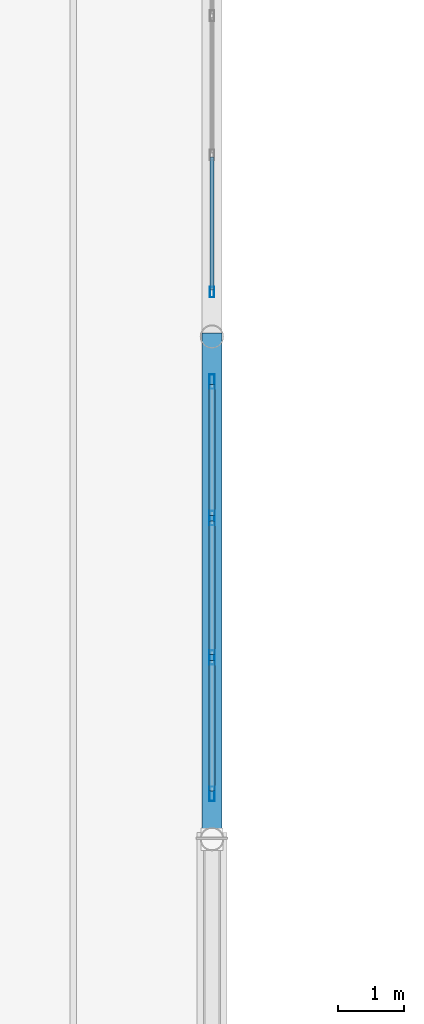
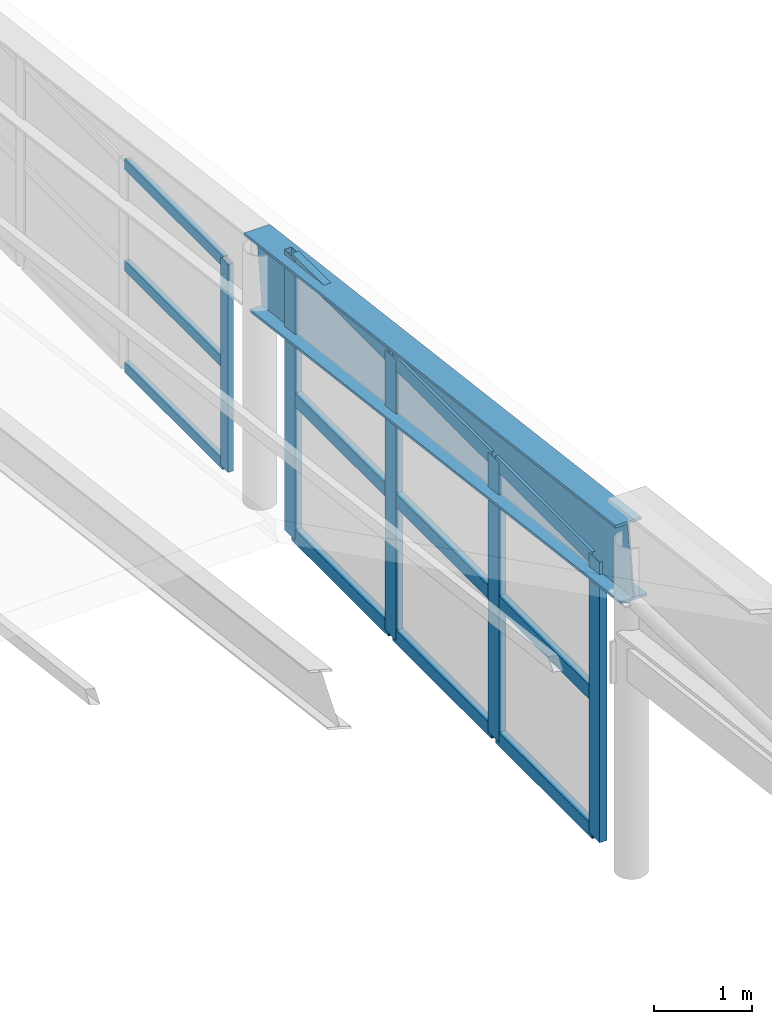
# One storey, part 7 of 14: 17 members, 1 beam, 2 elements without a shape of their own.
"""IFC4 building model written with IfcOpenShell, lengths in metres."""

from ifc_helpers import new_model, si_unit, direction, frame, origin, origin_2d, place, context, subcontext, project, spatial, hollow_rectangle, i_section, extrude, material, layer, layer_set, material_profile, profile_set, type_object, element, aggregate, save


model = new_model("IFC4")

# Units and contexts
model_context = context("Model", 3, precision=1e-05, world=origin(), true_north=direction((0.0, 1.0)))
body_context = subcontext(model_context, "Body", "Model", "MODEL_VIEW")
ifc_project = project(units=[si_unit("LENGTHUNIT", "METRE"), si_unit("AREAUNIT", "SQUARE_METRE"), si_unit("VOLUMEUNIT", "CUBIC_METRE"), si_unit("PLANEANGLEUNIT", "RADIAN"), si_unit("MASSUNIT", "GRAM", prefix="KILO")], contexts=[model_context])

# Site, building, storey
site_placement = place(None, origin())
site = spatial("IfcSite", under=ifc_project, at=site_placement, CompositionType="ELEMENT")
building_placement = place(site_placement, origin())
building = spatial("IfcBuilding", under=site, at=building_placement, Name="Xicomal Pleat Aquarium", CompositionType="ELEMENT")
storey_placement = place(building_placement, frame((0.0, 0.0, 24.0)))
storey = spatial("IfcBuildingStorey", under=building, at=storey_placement, Name="RF", CompositionType="ELEMENT", Elevation=24.0)

# Beam
ifc_material_1 = material(Name="Structural steel A992 Gr 50", Category="steel")
ifc_material_profile_1 = material_profile(ifc_material_1, i_section(OverallWidth=0.306884765625, OverallDepth=0.923095703125, WebThickness=0.018310546875, FlangeThickness=0.030029296875, at=origin_2d()), Name="IR 920x271")
ifc_profile_set_1 = profile_set([ifc_material_profile_1], Name="Structural steel A992 Gr 50")
beam_type = type_object("IfcBeamType", Name="BM-STL-IR920", PredefinedType="BEAM", material=ifc_profile_set_1)
beam_placement = place(storey_placement, frame((35.39990234375, 22.800048828125, 3.85791015625), z_axis=(0.0, 0.992215474133, -0.124532938978), x_axis=(-1.0, 0.0, 0.0)))
element("IfcBeam", 1, at=beam_placement, inside=storey, type_object=beam_type, Name="RF pleated canopy girder 05-BCK1", PredefinedType="BEAM", context=body_context, shape_type="SweptSolid", body=[
    extrude(i_section(OverallWidth=0.306884765625, OverallDepth=0.923095703125, WebThickness=0.018310546875, FlangeThickness=0.030029296875, at=origin_2d()), origin(), (0.0, 0.0, 1.0), 7.659423828125),
])

# Curtain wall, member
ifc_material_2 = material(Name="Bronze anodized aluminium 6063-T6", Category="aluminium")
ifc_layer_1 = layer(ifc_material_2, 0.159912109375)
ifc_layer_set_1 = layer_set([ifc_layer_1], Name="Bronze anodized aluminium 6063-T6")
curtain_wall_type_1 = type_object("IfcCurtainWallType", Name="CW-SYS-03", PredefinedType="NOTDEFINED", material=ifc_layer_set_1)
curtain_wall_1_placement = place(storey_placement, origin())
curtain_wall_1 = element("IfcCurtainWall", 2, at=curtain_wall_1_placement, inside=storey, type_object=curtain_wall_type_1, Name="RF pleated crown clerestory curtain wall CW-RF-06", PredefinedType="NOTDEFINED")
ifc_material_3 = material(Name="Bronze anodized aluminium 6063-T6", Category="aluminium")
ifc_material_profile_2 = material_profile(ifc_material_3, hollow_rectangle(XDim=0.06494140625, YDim=0.159912109375, WallThickness=0.00390625, at=origin_2d()), Name="ALU MULL 65x160")
ifc_profile_set_2 = profile_set([ifc_material_profile_2], Name="Bronze anodized aluminium 6063-T6")
member_type_1 = type_object("IfcMemberType", Name="CWM-65x160", PredefinedType="MULLION", material=ifc_profile_set_2)
member_1_placement = place(storey_placement, frame((35.39990234375, 31.072509765625, 0.0), z_axis=(0.0, 0.0, 1.0), x_axis=(-1.0, 0.0, 0.0)))
member_1 = element("IfcMember", 3, at=member_1_placement, type_object=member_type_1, Name="CW-03 mullion 1", PredefinedType="MULLION", context=body_context, shape_type="SweptSolid", body=[
    extrude(hollow_rectangle(XDim=0.06494140625, YDim=0.159912109375, WallThickness=0.00390625, at=origin_2d()), origin(), (0.0, 0.0, 1.0), 2.60009765625),
])

# Curtain wall, members
ifc_material_4 = material(Name="Bronze anodized aluminium 6063-T6", Category="aluminium")
ifc_layer_2 = layer(ifc_material_4, 0.159912109375)
ifc_layer_set_2 = layer_set([ifc_layer_2], Name="Bronze anodized aluminium 6063-T6")
curtain_wall_type_2 = type_object("IfcCurtainWallType", Name="CW-SYS-05", PredefinedType="NOTDEFINED", material=ifc_layer_set_2)
curtain_wall_2_placement = place(storey_placement, origin())
curtain_wall_2 = element("IfcCurtainWall", 4, at=curtain_wall_2_placement, inside=storey, type_object=curtain_wall_type_2, Name="RF pleated crown clerestory curtain wall CW-RF-05", PredefinedType="NOTDEFINED")
ifc_material_5 = material(Name="Bronze anodized aluminium 6063-T6", Category="aluminium")
ifc_material_profile_3 = material_profile(ifc_material_5, hollow_rectangle(XDim=0.0849609375, YDim=0.219970703125, WallThickness=0.0048828125, at=origin_2d()), Name="ALU MULL 85x220")
ifc_profile_set_3 = profile_set([ifc_material_profile_3], Name="Bronze anodized aluminium 6063-T6")
member_type_2 = type_object("IfcMemberType", Name="CWM-85x220", PredefinedType="MULLION", material=ifc_profile_set_3)
member_2_placement = place(storey_placement, frame((35.39990234375, 23.482421875, 0.0), z_axis=(0.0, 0.0, 1.0), x_axis=(-1.0, 0.0, 0.0)))
member_2 = element("IfcMember", 5, at=member_2_placement, type_object=member_type_2, Name="CW-05 mullion 1", PredefinedType="MULLION", context=body_context, shape_type="SweptSolid", body=[
    extrude(hollow_rectangle(XDim=0.0849609375, YDim=0.219970703125, WallThickness=0.0048828125, at=origin_2d()), origin(), (0.0, 0.0, 1.0), 3.5),
])
member_3_placement = place(storey_placement, frame((35.39990234375, 25.546630859375, 0.0), z_axis=(0.0, 0.0, 1.0), x_axis=(-1.0, 0.0, 0.0)))
member_3 = element("IfcMember", 6, at=member_3_placement, type_object=member_type_2, Name="CW-05 mullion 2", PredefinedType="MULLION", context=body_context, shape_type="SweptSolid", body=[
    extrude(hollow_rectangle(XDim=0.0849609375, YDim=0.219970703125, WallThickness=0.0048828125, at=origin_2d()), origin(), (0.0, 0.0, 1.0), 3.5),
])
member_4_placement = place(storey_placement, frame((35.39990234375, 27.6533203125, 0.0), z_axis=(0.0, 0.0, 1.0), x_axis=(-1.0, 0.0, 0.0)))
member_4 = element("IfcMember", 7, at=member_4_placement, type_object=member_type_2, Name="CW-05 mullion 3", PredefinedType="MULLION", context=body_context, shape_type="SweptSolid", body=[
    extrude(hollow_rectangle(XDim=0.0849609375, YDim=0.219970703125, WallThickness=0.0048828125, at=origin_2d()), origin(), (0.0, 0.0, 1.0), 3.5),
])
member_5_placement = place(storey_placement, frame((35.39990234375, 29.717529296875, 0.0), z_axis=(0.0, 0.0, 1.0), x_axis=(-1.0, 0.0, 0.0)))
member_5 = element("IfcMember", 8, at=member_5_placement, type_object=member_type_2, Name="CW-05 mullion 4", PredefinedType="MULLION", context=body_context, shape_type="SweptSolid", body=[
    extrude(hollow_rectangle(XDim=0.0849609375, YDim=0.219970703125, WallThickness=0.0048828125, at=origin_2d()), origin(), (0.0, 0.0, 1.0), 3.5),
])

# Member
ifc_material_6 = material(Name="Bronze anodized aluminium 6063-T6", Category="aluminium")
ifc_material_profile_4 = material_profile(ifc_material_6, hollow_rectangle(XDim=0.06494140625, YDim=0.1298828125, WallThickness=0.00390625, at=origin_2d()), Name="ALU TRAN 65x130")
ifc_profile_set_4 = profile_set([ifc_material_profile_4], Name="Bronze anodized aluminium 6063-T6")
member_type_3 = type_object("IfcMemberType", Name="CWT-65x130", PredefinedType="USERDEFINED", material=ifc_profile_set_4)
member_6_placement = place(storey_placement, frame((35.39990234375, 31.10498046875, 0.032470703125), z_axis=(0.0, 1.0, 0.0), x_axis=(-1.0, 0.0, 0.0)))
member_6 = element("IfcMember", 9, at=member_6_placement, type_object=member_type_3, Name="CW-03 transom 1.1", ObjectType="TRANSOM", PredefinedType="USERDEFINED", context=body_context, shape_type="SweptSolid", body=[
    extrude(hollow_rectangle(XDim=0.06494140625, YDim=0.1298828125, WallThickness=0.00390625, at=origin_2d()), origin(), (0.0, 0.0, 1.0), 2.00927734375),
])

member_7_placement = place(storey_placement, frame((35.39990234375, 31.10498046875, 1.300048828125), z_axis=(0.0, 1.0, 0.0), x_axis=(-1.0, 0.0, 0.0)))
member_7 = element("IfcMember", 10, at=member_7_placement, type_object=member_type_3, Name="CW-03 transom 1.2", ObjectType="TRANSOM", PredefinedType="USERDEFINED", context=body_context, shape_type="SweptSolid", body=[
    extrude(hollow_rectangle(XDim=0.06494140625, YDim=0.1298828125, WallThickness=0.00390625, at=origin_2d()), origin(), (0.0, 0.0, 1.0), 2.00927734375),
])

member_8_placement = place(storey_placement, frame((35.39990234375, 31.10498046875, 2.5673828125), z_axis=(0.0, 1.0, 0.0), x_axis=(-1.0, 0.0, 0.0)))
member_8 = element("IfcMember", 11, at=member_8_placement, type_object=member_type_3, Name="CW-03 transom 1.3", ObjectType="TRANSOM", PredefinedType="USERDEFINED", context=body_context, shape_type="SweptSolid", body=[
    extrude(hollow_rectangle(XDim=0.06494140625, YDim=0.1298828125, WallThickness=0.00390625, at=origin_2d()), origin(), (0.0, 0.0, 1.0), 2.00927734375),
])

aggregate(curtain_wall_1, [member_1, member_6, member_7, member_8])

ifc_material_7 = material(Name="Bronze anodized aluminium 6063-T6", Category="aluminium")
ifc_material_profile_5 = material_profile(ifc_material_7, hollow_rectangle(XDim=0.0849609375, YDim=0.169921875, WallThickness=0.0048828125, at=origin_2d()), Name="ALU TRAN 85x170")
ifc_profile_set_5 = profile_set([ifc_material_profile_5], Name="Bronze anodized aluminium 6063-T6")
member_type_4 = type_object("IfcMemberType", Name="CWT-85x170", PredefinedType="USERDEFINED", material=ifc_profile_set_5)
member_9_placement = place(storey_placement, frame((35.39990234375, 23.52490234375, 0.04248046875), z_axis=(0.0, 1.0, 0.0), x_axis=(-1.0, 0.0, 0.0)))
member_9 = element("IfcMember", 12, at=member_9_placement, type_object=member_type_4, Name="CW-05 transom 1.1", ObjectType="TRANSOM", PredefinedType="USERDEFINED", context=body_context, shape_type="SweptSolid", body=[
    extrude(hollow_rectangle(XDim=0.0849609375, YDim=0.169921875, WallThickness=0.0048828125, at=origin_2d()), origin(), (0.0, 0.0, 1.0), 1.979248046875),
])

member_10_placement = place(storey_placement, frame((35.39990234375, 23.52490234375, 1.75), z_axis=(0.0, 1.0, 0.0), x_axis=(-1.0, 0.0, 0.0)))
member_10 = element("IfcMember", 13, at=member_10_placement, type_object=member_type_4, Name="CW-05 transom 1.2", ObjectType="TRANSOM", PredefinedType="USERDEFINED", context=body_context, shape_type="SweptSolid", body=[
    extrude(hollow_rectangle(XDim=0.0849609375, YDim=0.169921875, WallThickness=0.0048828125, at=origin_2d()), origin(), (0.0, 0.0, 1.0), 1.979248046875),
])

member_11_placement = place(storey_placement, frame((35.39990234375, 23.52490234375, 3.45751953125), z_axis=(0.0, 1.0, 0.0), x_axis=(-1.0, 0.0, 0.0)))
member_11 = element("IfcMember", 14, at=member_11_placement, type_object=member_type_4, Name="CW-05 transom 1.3", ObjectType="TRANSOM", PredefinedType="USERDEFINED", context=body_context, shape_type="SweptSolid", body=[
    extrude(hollow_rectangle(XDim=0.0849609375, YDim=0.169921875, WallThickness=0.0048828125, at=origin_2d()), origin(), (0.0, 0.0, 1.0), 1.979248046875),
])

member_12_placement = place(storey_placement, frame((35.39990234375, 25.589111328125, 0.04248046875), z_axis=(0.0, 1.0, 0.0), x_axis=(-1.0, 0.0, 0.0)))
member_12 = element("IfcMember", 15, at=member_12_placement, type_object=member_type_4, Name="CW-05 transom 2.1", ObjectType="TRANSOM", PredefinedType="USERDEFINED", context=body_context, shape_type="SweptSolid", body=[
    extrude(hollow_rectangle(XDim=0.0849609375, YDim=0.169921875, WallThickness=0.0048828125, at=origin_2d()), origin(), (0.0, 0.0, 1.0), 2.021728515625),
])

member_13_placement = place(storey_placement, frame((35.39990234375, 25.589111328125, 1.75), z_axis=(0.0, 1.0, 0.0), x_axis=(-1.0, 0.0, 0.0)))
member_13 = element("IfcMember", 16, at=member_13_placement, type_object=member_type_4, Name="CW-05 transom 2.2", ObjectType="TRANSOM", PredefinedType="USERDEFINED", context=body_context, shape_type="SweptSolid", body=[
    extrude(hollow_rectangle(XDim=0.0849609375, YDim=0.169921875, WallThickness=0.0048828125, at=origin_2d()), origin(), (0.0, 0.0, 1.0), 2.021728515625),
])

member_14_placement = place(storey_placement, frame((35.39990234375, 25.589111328125, 3.45751953125), z_axis=(0.0, 1.0, 0.0), x_axis=(-1.0, 0.0, 0.0)))
member_14 = element("IfcMember", 17, at=member_14_placement, type_object=member_type_4, Name="CW-05 transom 2.3", ObjectType="TRANSOM", PredefinedType="USERDEFINED", context=body_context, shape_type="SweptSolid", body=[
    extrude(hollow_rectangle(XDim=0.0849609375, YDim=0.169921875, WallThickness=0.0048828125, at=origin_2d()), origin(), (0.0, 0.0, 1.0), 2.021728515625),
])

member_15_placement = place(storey_placement, frame((35.39990234375, 27.69580078125, 0.04248046875), z_axis=(0.0, 1.0, 0.0), x_axis=(-1.0, 0.0, 0.0)))
member_15 = element("IfcMember", 18, at=member_15_placement, type_object=member_type_4, Name="CW-05 transom 3.1", ObjectType="TRANSOM", PredefinedType="USERDEFINED", context=body_context, shape_type="SweptSolid", body=[
    extrude(hollow_rectangle(XDim=0.0849609375, YDim=0.169921875, WallThickness=0.0048828125, at=origin_2d()), origin(), (0.0, 0.0, 1.0), 1.979248046875),
])

member_16_placement = place(storey_placement, frame((35.39990234375, 27.69580078125, 1.75), z_axis=(0.0, 1.0, 0.0), x_axis=(-1.0, 0.0, 0.0)))
member_16 = element("IfcMember", 19, at=member_16_placement, type_object=member_type_4, Name="CW-05 transom 3.2", ObjectType="TRANSOM", PredefinedType="USERDEFINED", context=body_context, shape_type="SweptSolid", body=[
    extrude(hollow_rectangle(XDim=0.0849609375, YDim=0.169921875, WallThickness=0.0048828125, at=origin_2d()), origin(), (0.0, 0.0, 1.0), 1.979248046875),
])

member_17_placement = place(storey_placement, frame((35.39990234375, 27.69580078125, 3.45751953125), z_axis=(0.0, 1.0, 0.0), x_axis=(-1.0, 0.0, 0.0)))
member_17 = element("IfcMember", 20, at=member_17_placement, type_object=member_type_4, Name="CW-05 transom 3.3", ObjectType="TRANSOM", PredefinedType="USERDEFINED", context=body_context, shape_type="SweptSolid", body=[
    extrude(hollow_rectangle(XDim=0.0849609375, YDim=0.169921875, WallThickness=0.0048828125, at=origin_2d()), origin(), (0.0, 0.0, 1.0), 1.979248046875),
])

aggregate(curtain_wall_2, [member_2, member_3, member_4, member_5, member_9, member_10, member_11, member_12, member_13, member_14, member_15, member_16, member_17])

save(model, "model.ifc")
